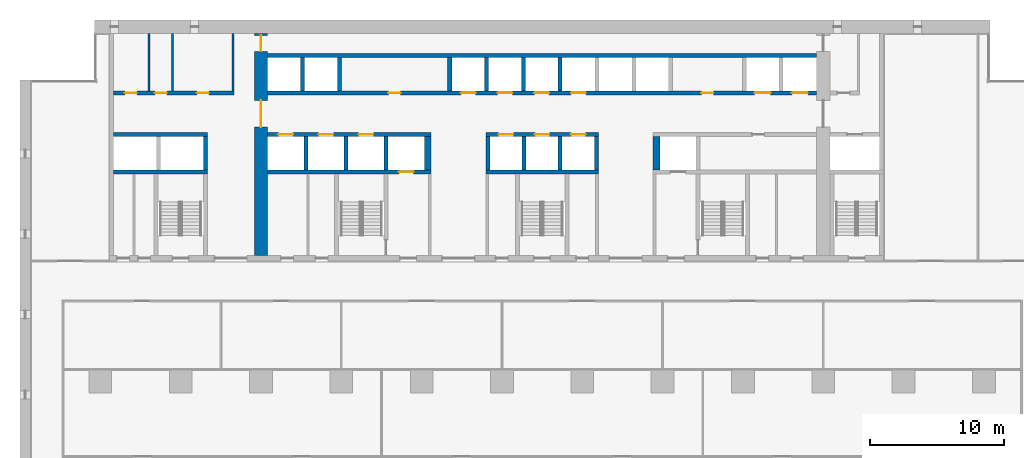
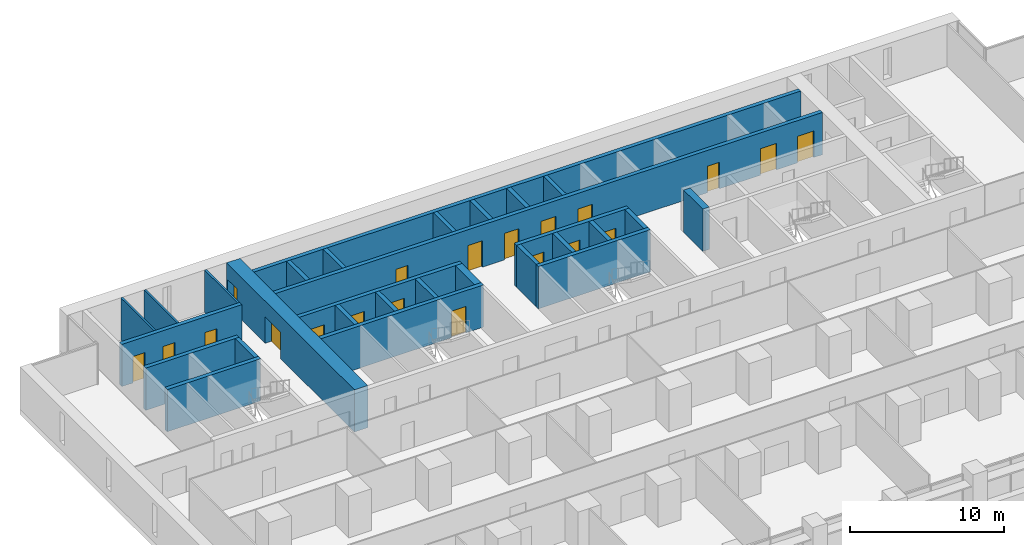
# One storey, part 11 of 18: 29 walls, 20 doors, 20 openings.
"""IFC4 building model written with IfcOpenShell, lengths in metres."""

import ifcopenshell
import ifcopenshell.guid

model = None  # the IFC model being written
_history = None  # IfcOwnerHistory: only IFC2X3 demands one
_inside = {}  # id of a spatial element -> (the spatial element, [elements in it])
_under = {}  # id of a project, library or spatial element -> (it, [spatial elements below it])
_declared = {}  # id of a project -> (the project, [libraries it declares])
_typed = {}  # id of a type object -> (the type object, [elements of that type])
_made_of = {}  # id of a material, layer set ... -> (it, [elements and type objects made of it])


def new_model(schema):
    """Start an empty IFC model of exactly this schema.

    Asked for "IFC4X3", IfcOpenShell would pick the latest addendum, in which some entities
    have other attributes; the version numbers below select the first issue.
    IFC2X3 requires an IfcOwnerHistory on every rooted entity: one is made here for all.
    """
    global model, _history
    if schema == "IFC4X3":
        model = ifcopenshell.file(schema_version=(4, 3, 0, 0))
    else:
        model = ifcopenshell.file(schema=schema)
    _inside.clear()
    _under.clear()
    _declared.clear()
    _typed.clear()
    _made_of.clear()
    _history = None
    if model.schema == "IFC2X3":
        org = make("IfcOrganization", Name="unknown")
        user = make(
            "IfcPersonAndOrganization",
            ThePerson=make("IfcPerson", FamilyName="unknown"),
            TheOrganization=org,
        )
        app = make(
            "IfcApplication",
            ApplicationDeveloper=org,
            Version="unknown",
            ApplicationFullName="unknown",
            ApplicationIdentifier="unknown",
        )
        _history = make(
            "IfcOwnerHistory",
            OwningUser=user,
            OwningApplication=app,
            ChangeAction="ADDED",
            CreationDate=0,
        )
    return model


def make(cls, **values):
    """One entity of the class cls with the attributes given. An attribute that is None is left unset."""
    return model.create_entity(
        cls, **{name: value for name, value in values.items() if value is not None}
    )


def rooted(cls, **values):
    """An entity with a GlobalId (a new one), such as an element, a storey or a relation."""
    return make(cls, GlobalId=ifcopenshell.guid.new(), OwnerHistory=_history, **values)


def si_unit(unit_type, name, prefix=None):
    """IfcSIUnit, for example si_unit("LENGTHUNIT", "METRE", prefix="MILLI")."""
    return make("IfcSIUnit", UnitType=unit_type, Prefix=prefix, Name=name)


def assignment(units):
    """IfcUnitAssignment: the units of a project."""
    return None if units is None else make("IfcUnitAssignment", Units=units)


def point(xyz):
    """IfcCartesianPoint."""
    return None if xyz is None else make("IfcCartesianPoint", Coordinates=xyz)


def direction(xyz):
    """IfcDirection."""
    return None if xyz is None else make("IfcDirection", DirectionRatios=xyz)


def frame(location, z_axis=None, x_axis=None):
    """IfcAxis2Placement3D, a coordinate frame: its origin and axes. An axis left out is left unset."""
    return make(
        "IfcAxis2Placement3D",
        Location=point(location),
        Axis=direction(z_axis),
        RefDirection=direction(x_axis),
    )


def frame_2d(location, x_axis=None):
    """IfcAxis2Placement2D, a coordinate frame in the plane: its origin and x axis."""
    return make(
        "IfcAxis2Placement2D", Location=point(location), RefDirection=direction(x_axis)
    )


def origin():
    """The frame at (0, 0, 0) with its axes left unset."""
    return frame((0.0, 0.0, 0.0))


def place(relative_to, where):
    """IfcLocalPlacement: puts the frame where relative to a parent placement (None: the world)."""
    return make(
        "IfcLocalPlacement", PlacementRelTo=relative_to, RelativePlacement=where
    )


def context(
    kind, dimensions, precision=None, world=None, true_north=None, identifier=None
):
    """IfcGeometricRepresentationContext, for example the 3D "Model" context."""
    return make(
        "IfcGeometricRepresentationContext",
        ContextIdentifier=identifier,
        ContextType=kind,
        CoordinateSpaceDimension=dimensions,
        Precision=precision,
        WorldCoordinateSystem=world,
        TrueNorth=true_north,
    )


def subcontext(parent, identifier, kind, view, scale=None):
    """IfcGeometricRepresentationSubContext, for example "Body" below "Model"."""
    return make(
        "IfcGeometricRepresentationSubContext",
        ContextIdentifier=identifier,
        ContextType=kind,
        ParentContext=parent,
        TargetScale=scale,
        TargetView=view,
    )


def project(units=None, contexts=None):
    """IfcProject with its units and contexts."""
    return rooted(
        "IfcProject",
        Name="project",
        RepresentationContexts=contexts,
        UnitsInContext=assignment(units),
    )


def spatial(cls, under=None, at=None, **own):
    """A site, building, storey or space (cls), placed at a placement, below another one or the project."""
    s = rooted(cls, ObjectPlacement=at, **own)
    if under is not None:
        _under.setdefault(under.id(), (under, []))[1].append(s)
    return s


def profile(cls, at=None, kind="AREA", **sizes):
    """A parametric profile (cls). Its sizes go by their IFC names, for example OverallWidth=200.0."""
    return make(cls, ProfileType=kind, Position=at, **sizes)


def rectangle(**sizes):
    """IfcRectangleProfileDef."""
    return profile("IfcRectangleProfileDef", **sizes)


def extrude(swept, where, along, depth):
    """IfcExtrudedAreaSolid: the profile swept, set in the frame where, extruded along a direction by depth."""
    return make(
        "IfcExtrudedAreaSolid",
        SweptArea=swept,
        Position=where,
        ExtrudedDirection=direction(along),
        Depth=depth,
    )


def shape(context_of_items, identifier, shape_type, items):
    """IfcShapeRepresentation: the items that make up one representation, for example the "Body"."""
    return make(
        "IfcShapeRepresentation",
        ContextOfItems=context_of_items,
        RepresentationIdentifier=identifier,
        RepresentationType=shape_type,
        Items=items,
    )


def material(Name=None, Category=None):
    """IfcMaterial."""
    return make("IfcMaterial", Name=Name, Category=Category)


def layer(
    of_material, thickness, ventilated=None, Name=None, Category=None, Priority=None
):
    """IfcMaterialLayer: one layer of a wall or slab, of a material (None: an air gap)."""
    return make(
        "IfcMaterialLayer",
        Material=of_material,
        LayerThickness=thickness,
        IsVentilated=ventilated,
        Name=Name,
        Category=Category,
        Priority=Priority,
    )


def layer_set(layers, Name=None):
    """IfcMaterialLayerSet."""
    return make("IfcMaterialLayerSet", MaterialLayers=layers, LayerSetName=Name)


def made_of(thing, what):
    """Note that an element or type object is made of a material, layer set ...; save() writes the relation."""
    if what is not None:
        _made_of.setdefault(what.id(), (what, []))[1].append(thing)
    return thing


def type_object(cls, material=None, **own):
    """A type object (cls), such as IfcWallType, which elements share."""
    return made_of(rooted(cls, **own), material)


def element(
    cls,
    number,
    at=None,
    inside=None,
    cuts=None,
    type_object=None,
    material=None,
    context=None,
    identifier="Body",
    shape_type=None,
    held_by="IfcProductDefinitionShape",
    body=None,
    shapes=None,
    **own,
):
    """One element of the class cls, such as IfcWall. Its Tag is "e" and its number.

    at: its placement. inside: the storey or other place that contains it. cuts: it is an
    opening in that element (IfcRelVoidsElement). A single representation is given by context,
    identifier, shape_type and body (its items); several are given by shapes. held_by: the class
    of the entity that holds the representations. save() writes the other relations.
    """
    e = rooted(cls, Tag="e%d" % number, ObjectPlacement=at, **own)
    if body is not None:
        shapes = [shape(context, identifier, shape_type, body)]
    if shapes is not None:
        e.Representation = make(held_by, Representations=shapes)
    if inside is not None:
        _inside.setdefault(inside.id(), (inside, []))[1].append(e)
    if cuts is not None:
        rooted(
            "IfcRelVoidsElement", RelatingBuildingElement=cuts, RelatedOpeningElement=e
        )
    if type_object is not None:
        _typed.setdefault(type_object.id(), (type_object, []))[1].append(e)
    return made_of(e, material)


def fill(opening, filler):
    """IfcRelFillsElement: the door or window that sits in an opening."""
    return rooted(
        "IfcRelFillsElement",
        RelatingOpeningElement=opening,
        RelatedBuildingElement=filler,
    )


def aggregate(whole, parts):
    """IfcRelAggregates: a whole, such as a stair, and the parts it consists of."""
    return rooted("IfcRelAggregates", RelatingObject=whole, RelatedObjects=parts)


def save(model, path):
    """Write the relations noted so far, then the file.

    IfcRelAggregates (storeys below a building ...), IfcRelContainedInSpatialStructure (elements
    in a storey), IfcRelDefinesByType, IfcRelAssociatesMaterial and IfcRelDeclares: one each for
    every whole, place, type object, material and project.
    """
    for whole, parts in _under.values():
        aggregate(whole, parts)
    for where, things in _inside.values():
        rooted(
            "IfcRelContainedInSpatialStructure",
            RelatedElements=things,
            RelatingStructure=where,
        )
    for kind, things in _typed.values():
        rooted("IfcRelDefinesByType", RelatedObjects=things, RelatingType=kind)
    for what, things in _made_of.values():
        rooted("IfcRelAssociatesMaterial", RelatedObjects=things, RelatingMaterial=what)
    for by, libraries in _declared.values():
        rooted("IfcRelDeclares", RelatingContext=by, RelatedDefinitions=libraries)
    model.write(path)


model = new_model("IFC4")

# Units and contexts
model_context = context("Model", 3, precision=1e-05, world=origin(), true_north=direction((0.0, 1.0)))
body_context = subcontext(model_context, "Body", "Model", "MODEL_VIEW")
ifc_project = project(units=[si_unit("LENGTHUNIT", "METRE"), si_unit("AREAUNIT", "SQUARE_METRE"), si_unit("VOLUMEUNIT", "CUBIC_METRE"), si_unit("PLANEANGLEUNIT", "RADIAN"), si_unit("MASSUNIT", "GRAM", prefix="KILO")], contexts=[model_context])

# Site, building, storey
site_placement = place(None, origin())
site = spatial("IfcSite", under=ifc_project, at=site_placement, CompositionType="ELEMENT")
building_placement = place(site_placement, origin())
building = spatial("IfcBuilding", under=site, at=building_placement, Name="Calvaro Tower", CompositionType="ELEMENT")
storey_placement = place(building_placement, frame((0.0, 0.0, 48.75)))
storey = spatial("IfcBuildingStorey", under=building, at=storey_placement, Name="L11", CompositionType="ELEMENT", Elevation=48.75)

# Walls
ifc_material_1 = material(Name="Blockwork partition", Category="masonry")
ifc_layer_1 = layer(ifc_material_1, 0.14990234375)
ifc_layer_set_1 = layer_set([ifc_layer_1], Name="Blockwork partition")
wall_type_1 = type_object("IfcWallType", Name="Core partition 150 EI 60", PredefinedType="PARTITIONING", material=ifc_layer_set_1)
for number, where, z_axis, x_axis, name in (
    (1, (9.64990234375, 40.699951171875, 0.0), (0.0, 0.0, 1.0), (0.0, 1.0, 0.0), "Core partition"),
    (2, (11.39990234375, 40.699951171875, 0.0), (0.0, 0.0, 1.0), (0.0, 1.0, 0.0), "Core partition"),
):
    element("IfcWall", number, at=place(storey_placement, frame(where, z_axis=z_axis, x_axis=x_axis)), inside=storey, type_object=wall_type_1, Name=name, PredefinedType="PARTITIONING", context=body_context, shape_type="SweptSolid", body=[
        extrude(rectangle(XDim=4.300048828125, YDim=0.14990234375, at=frame_2d((2.14990234375, 0.0))), origin(), (0.0, 0.0, 1.0), 3.35009765625),
    ])
ifc_material_2 = material(Name="Blockwork partition", Category="masonry")
ifc_layer_2 = layer(ifc_material_2, 0.14990234375)
ifc_layer_set_2 = layer_set([ifc_layer_2], Name="Blockwork partition")
wall_type_2 = type_object("IfcWallType", Name="Core partition 150 REI 120", PredefinedType="PARTITIONING", material=ifc_layer_set_2)
wall_1_placement = place(storey_placement, frame((15.925048828125, 40.699951171875, 0.0), z_axis=(0.0, 0.0, 1.0), x_axis=(0.0, 1.0, 0.0)))
element("IfcWall", 3, at=wall_1_placement, inside=storey, type_object=wall_type_2, Name="Core partition", PredefinedType="PARTITIONING", context=body_context, shape_type="SweptSolid", body=[
    extrude(rectangle(XDim=4.300048828125, YDim=0.14990234375, at=frame_2d((2.14990234375, 0.0))), origin(), (0.0, 0.0, 1.0), 3.35009765625),
])

# Wall, openings, doors
ifc_material_3 = material(Name="Blockwork partition", Category="masonry")
ifc_layer_3 = layer(ifc_material_3, 0.300048828125)
ifc_layer_set_3 = layer_set([ifc_layer_3], Name="Blockwork partition")
wall_type_3 = type_object("IfcWallType", Name="Core partition 300 REI 120", PredefinedType="PARTITIONING", material=ifc_layer_set_3)
wall_2_placement = place(storey_placement, frame((7.0, 40.550048828125, 0.0), z_axis=(0.0, 0.0, 1.0), x_axis=(1.0, 0.0, 0.0)))
wall_2 = element("IfcWall", 4, at=wall_2_placement, inside=storey, type_object=wall_type_3, Name="Core partition", PredefinedType="PARTITIONING", context=body_context, shape_type="SweptSolid", body=[
    extrude(rectangle(XDim=9.0, YDim=0.300048828125, at=frame_2d((4.5, 0.0))), origin(), (0.0, 0.0, 1.0), 3.35009765625),
])
opening_1_placement = place(wall_2_placement, frame((0.83740234375, 0.0, 0.0)))
opening_1 = element("IfcOpeningElement", 5, at=opening_1_placement, cuts=wall_2, Name="Opening RD9", PredefinedType="OPENING", context=body_context, shape_type="SweptSolid", body=[
    extrude(rectangle(XDim=0.89990234375, YDim=2.10009765625, at=frame_2d((0.449951171875, 1.050048828125))), frame((0.0, 0.159912109375, 0.0), z_axis=(0.0, -1.0, 0.0), x_axis=(1.0, 0.0, 0.0)), (0.0, 0.0, 1.0), 0.320068359375),
])
opening_2_placement = place(wall_2_placement, frame((3.074951171875, 0.0, 0.0)))
opening_2 = element("IfcOpeningElement", 6, at=opening_2_placement, cuts=wall_2, Name="Opening RD9", PredefinedType="OPENING", context=body_context, shape_type="SweptSolid", body=[
    extrude(rectangle(XDim=0.89990234375, YDim=2.10009765625, at=frame_2d((0.449951171875, 1.050048828125))), frame((0.0, 0.159912109375, 0.0), z_axis=(0.0, -1.0, 0.0), x_axis=(1.0, 0.0, 0.0)), (0.0, 0.0, 1.0), 0.320068359375),
])
opening_3_placement = place(wall_2_placement, frame((6.21240234375, 0.0, 0.0)))
opening_3 = element("IfcOpeningElement", 7, at=opening_3_placement, cuts=wall_2, Name="Opening RD9", PredefinedType="OPENING", context=body_context, shape_type="SweptSolid", body=[
    extrude(rectangle(XDim=0.89990234375, YDim=2.10009765625, at=frame_2d((0.449951171875, 1.050048828125))), frame((0.0, 0.159912109375, 0.0), z_axis=(0.0, -1.0, 0.0), x_axis=(1.0, 0.0, 0.0)), (0.0, 0.0, 1.0), 0.320068359375),
])
ifc_material_4 = material(Name="Steel door set", Category="steel")
door_type_1 = type_object("IfcDoorType", Name="Room door 900", OperationType="SINGLE_SWING_LEFT", PredefinedType="DOOR", material=ifc_material_4)
door_1_placement = place(opening_1_placement, origin())
door_1 = element("IfcDoor", 8, at=door_1_placement, inside=storey, type_object=door_type_1, Name="Room door", OperationType="SINGLE_SWING_LEFT", OverallHeight=2.10009765625, OverallWidth=0.89990234375, PredefinedType="DOOR", context=body_context, shape_type="SweptSolid", body=[
    extrude(rectangle(XDim=0.89990234375, YDim=2.10009765625, at=frame_2d((0.449951171875, 1.050048828125))), frame((0.0, 0.02490234375, 0.0), z_axis=(0.0, -1.0, 0.0), x_axis=(1.0, 0.0, 0.0)), (0.0, 0.0, 1.0), 0.050048828125),
])
fill(opening_1, door_1)
door_2_placement = place(opening_2_placement, origin())
door_2 = element("IfcDoor", 9, at=door_2_placement, inside=storey, type_object=door_type_1, Name="Room door", OperationType="SINGLE_SWING_RIGHT", OverallHeight=2.10009765625, OverallWidth=0.89990234375, PredefinedType="DOOR", context=body_context, shape_type="SweptSolid", body=[
    extrude(rectangle(XDim=0.89990234375, YDim=2.10009765625, at=frame_2d((0.449951171875, 1.050048828125))), frame((0.0, 0.02490234375, 0.0), z_axis=(0.0, -1.0, 0.0), x_axis=(1.0, 0.0, 0.0)), (0.0, 0.0, 1.0), 0.050048828125),
])
fill(opening_2, door_2)
door_3_placement = place(opening_3_placement, origin())
door_3 = element("IfcDoor", 10, at=door_3_placement, inside=storey, type_object=door_type_1, Name="Room door", OperationType="SINGLE_SWING_LEFT", OverallHeight=2.10009765625, OverallWidth=0.89990234375, PredefinedType="DOOR", context=body_context, shape_type="SweptSolid", body=[
    extrude(rectangle(XDim=0.89990234375, YDim=2.10009765625, at=frame_2d((0.449951171875, 1.050048828125))), frame((0.0, 0.02490234375, 0.0), z_axis=(0.0, -1.0, 0.0), x_axis=(1.0, 0.0, 0.0)), (0.0, 0.0, 1.0), 0.050048828125),
])
fill(opening_3, door_3)

ifc_material_5 = material(Name="Concrete C80/95", Category="concrete")
ifc_layer_4 = layer(ifc_material_5, 1.0)
ifc_layer_set_4 = layer_set([ifc_layer_4], Name="Concrete C80/95")
wall_type_4 = type_object("IfcWallType", Name="Core wall C80/95 1000", PredefinedType="SHEAR", material=ifc_layer_set_4)
wall_3_placement = place(storey_placement, frame((18.0, 28.39990234375, 0.0), z_axis=(0.0, 0.0, 1.0), x_axis=(0.0, 1.0, 0.0)))
wall_3 = element("IfcWall", 11, at=wall_3_placement, inside=storey, type_object=wall_type_4, Name="Core wall, cross shear wall", PredefinedType="SHEAR", context=body_context, shape_type="SweptSolid", body=[
    extrude(rectangle(XDim=16.60009765625, YDim=1.0, at=frame_2d((8.300048828125, 0.0))), origin(), (0.0, 0.0, 1.0), 3.35009765625),
])
opening_4_placement = place(wall_3_placement, frame((9.60009765625, 0.0, 0.0)))
opening_4 = element("IfcOpeningElement", 12, at=opening_4_placement, cuts=wall_3, Name="Opening DD20D", PredefinedType="OPENING", context=body_context, shape_type="SweptSolid", body=[
    extrude(rectangle(XDim=2.0, YDim=2.10009765625, at=frame_2d((1.0, 1.050048828125))), frame((0.0, 0.510009765625, 0.0), z_axis=(0.0, -1.0, 0.0), x_axis=(1.0, 0.0, 0.0)), (0.0, 0.0, 1.0), 1.02001953125),
])
opening_5_placement = place(wall_3_placement, frame((15.25, 0.0, 0.0)))
opening_5 = element("IfcOpeningElement", 13, at=opening_5_placement, cuts=wall_3, Name="Opening FD12C", PredefinedType="OPENING", context=body_context, shape_type="SweptSolid", body=[
    extrude(rectangle(XDim=1.199951171875, YDim=2.10009765625, at=frame_2d((0.60009765625, 1.050048828125))), frame((0.0, 0.510009765625, 0.0), z_axis=(0.0, -1.0, 0.0), x_axis=(1.0, 0.0, 0.0)), (0.0, 0.0, 1.0), 1.02001953125),
])
ifc_material_6 = material(Name="Steel door set", Category="steel")
door_type_2 = type_object("IfcDoorType", Name="Fire door 1200 FD30", OperationType="SINGLE_SWING_LEFT", PredefinedType="DOOR", material=ifc_material_6)
door_4_placement = place(opening_5_placement, origin())
door_4 = element("IfcDoor", 14, at=door_4_placement, inside=storey, type_object=door_type_2, Name="Fire door", OperationType="SINGLE_SWING_LEFT", OverallHeight=2.10009765625, OverallWidth=1.199951171875, PredefinedType="DOOR", context=body_context, shape_type="SweptSolid", body=[
    extrude(rectangle(XDim=1.199951171875, YDim=2.10009765625, at=frame_2d((0.60009765625, 1.050048828125))), frame((0.0, 0.02490234375, 0.0), z_axis=(0.0, -1.0, 0.0), x_axis=(1.0, 0.0, 0.0)), (0.0, 0.0, 1.0), 0.050048828125),
])
fill(opening_5, door_4)
ifc_material_7 = material(Name="Steel door set", Category="steel")
door_type_3 = type_object("IfcDoorType", Name="Lobby double door 2000 FD30S", OperationType="DOUBLE_DOOR_SINGLE_SWING", PredefinedType="DOOR", material=ifc_material_7)
door_5_placement = place(opening_4_placement, origin())
door_5 = element("IfcDoor", 15, at=door_5_placement, inside=storey, type_object=door_type_3, Name="Lobby double door", OperationType="DOUBLE_DOOR_SINGLE_SWING", OverallHeight=2.10009765625, OverallWidth=2.0, PredefinedType="DOOR", context=body_context, shape_type="SweptSolid", body=[
    extrude(rectangle(XDim=2.0, YDim=2.10009765625, at=frame_2d((1.0, 1.050048828125))), frame((0.0, 0.02490234375, 0.0), z_axis=(0.0, -1.0, 0.0), x_axis=(1.0, 0.0, 0.0)), (0.0, 0.0, 1.0), 0.050048828125),
])
fill(opening_4, door_5)

# Wall
ifc_material_8 = material(Name="Concrete C80/95", Category="concrete")
ifc_layer_5 = layer(ifc_material_8, 0.300048828125)
ifc_layer_set_5 = layer_set([ifc_layer_5], Name="Concrete C80/95")
wall_type_5 = type_object("IfcWallType", Name="Core wall C80/95 300", PredefinedType="SHEAR", material=ifc_layer_set_5)
wall_4_placement = place(storey_placement, frame((7.0, 34.64990234375, 0.0), z_axis=(0.0, 0.0, 1.0), x_axis=(1.0, 0.0, 0.0)))
element("IfcWall", 16, at=wall_4_placement, inside=storey, type_object=wall_type_5, Name="Core wall, lift shaft", PredefinedType="SHEAR", context=body_context, shape_type="SweptSolid", body=[
    extrude(rectangle(XDim=7.0, YDim=0.300048828125, at=frame_2d((3.5, 0.0))), origin(), (0.0, 0.0, 1.0), 3.35009765625),
])

# Wall, opening, door
wall_5_placement = place(storey_placement, frame((18.5, 34.64990234375, 0.0), z_axis=(0.0, 0.0, 1.0), x_axis=(1.0, 0.0, 0.0)))
wall_5 = element("IfcWall", 17, at=wall_5_placement, inside=storey, type_object=wall_type_5, Name="Core wall, lift shaft", PredefinedType="SHEAR", context=body_context, shape_type="SweptSolid", body=[
    extrude(rectangle(XDim=12.199951171875, YDim=0.300048828125, at=frame_2d((6.10009765625, 0.0))), origin(), (0.0, 0.0, 1.0), 3.35009765625),
])
opening_6_placement = place(wall_5_placement, frame((9.800048828125, 0.0, 0.0)))
opening_6 = element("IfcOpeningElement", 18, at=opening_6_placement, cuts=wall_5, Name="Opening FF1", PredefinedType="OPENING", context=body_context, shape_type="SweptSolid", body=[
    extrude(rectangle(XDim=1.10009765625, YDim=2.10009765625, at=frame_2d((0.550048828125, 1.050048828125))), frame((0.0, 0.159912109375, 0.0), z_axis=(0.0, -1.0, 0.0), x_axis=(1.0, 0.0, 0.0)), (0.0, 0.0, 1.0), 0.320068359375),
])
ifc_material_9 = material(Name="Stainless steel", Category="steel")
door_type_4 = type_object("IfcDoorType", Name="Landing door 1100 E 60", OperationType="SLIDING_TO_LEFT", PredefinedType="DOOR", material=ifc_material_9)
door_6_placement = place(opening_6_placement, origin())
door_6 = element("IfcDoor", 19, at=door_6_placement, inside=storey, type_object=door_type_4, Name="Landing door FF1", OperationType="SLIDING_TO_LEFT", OverallHeight=2.10009765625, OverallWidth=1.10009765625, PredefinedType="DOOR", context=body_context, shape_type="SweptSolid", body=[
    extrude(rectangle(XDim=1.10009765625, YDim=2.10009765625, at=frame_2d((0.550048828125, 1.050048828125))), frame((0.0, 0.02490234375, 0.0), z_axis=(0.0, -1.0, 0.0), x_axis=(1.0, 0.0, 0.0)), (0.0, 0.0, 1.0), 0.050048828125),
])
fill(opening_6, door_6)

# Walls
wall_6_placement = place(storey_placement, frame((34.800048828125, 34.64990234375, 0.0), z_axis=(0.0, 0.0, 1.0), x_axis=(1.0, 0.0, 0.0)))
element("IfcWall", 20, at=wall_6_placement, inside=storey, type_object=wall_type_5, Name="Core wall, lift shaft", PredefinedType="SHEAR", context=body_context, shape_type="SweptSolid", body=[
    extrude(rectangle(XDim=8.39990234375, YDim=0.300048828125, at=frame_2d((4.199951171875, 0.0))), origin(), (0.0, 0.0, 1.0), 3.35009765625),
])
wall_7_placement = place(storey_placement, frame((7.0, 37.449951171875, 0.0), z_axis=(0.0, 0.0, 1.0), x_axis=(1.0, 0.0, 0.0)))
element("IfcWall", 21, at=wall_7_placement, inside=storey, type_object=wall_type_5, Name="Core wall, lift shaft", PredefinedType="SHEAR", context=body_context, shape_type="SweptSolid", body=[
    extrude(rectangle(XDim=7.0, YDim=0.300048828125, at=frame_2d((3.5, 0.0))), origin(), (0.0, 0.0, 1.0), 3.35009765625),
])

# Wall, openings, doors
wall_8_placement = place(storey_placement, frame((18.5, 37.449951171875, 0.0), z_axis=(0.0, 0.0, 1.0), x_axis=(1.0, 0.0, 0.0)))
wall_8 = element("IfcWall", 22, at=wall_8_placement, inside=storey, type_object=wall_type_5, Name="Core wall, lift shaft", PredefinedType="SHEAR", context=body_context, shape_type="SweptSolid", body=[
    extrude(rectangle(XDim=12.199951171875, YDim=0.300048828125, at=frame_2d((6.10009765625, 0.0))), origin(), (0.0, 0.0, 1.0), 3.35009765625),
])
opening_7_placement = place(wall_8_placement, frame((0.800048828125, 0.0, 0.0)))
opening_7 = element("IfcOpeningElement", 23, at=opening_7_placement, cuts=wall_8, Name="Opening LR1", PredefinedType="OPENING", context=body_context, shape_type="SweptSolid", body=[
    extrude(rectangle(XDim=1.10009765625, YDim=2.10009765625, at=frame_2d((0.550048828125, 1.050048828125))), frame((0.0, 0.159912109375, 0.0), z_axis=(0.0, -1.0, 0.0), x_axis=(1.0, 0.0, 0.0)), (0.0, 0.0, 1.0), 0.320068359375),
])
opening_8_placement = place(wall_8_placement, frame((3.800048828125, 0.0, 0.0)))
opening_8 = element("IfcOpeningElement", 24, at=opening_8_placement, cuts=wall_8, Name="Opening LR2", PredefinedType="OPENING", context=body_context, shape_type="SweptSolid", body=[
    extrude(rectangle(XDim=1.10009765625, YDim=2.10009765625, at=frame_2d((0.550048828125, 1.050048828125))), frame((0.0, 0.159912109375, 0.0), z_axis=(0.0, -1.0, 0.0), x_axis=(1.0, 0.0, 0.0)), (0.0, 0.0, 1.0), 0.320068359375),
])
opening_9_placement = place(wall_8_placement, frame((6.800048828125, 0.0, 0.0)))
opening_9 = element("IfcOpeningElement", 25, at=opening_9_placement, cuts=wall_8, Name="Opening LR3", PredefinedType="OPENING", context=body_context, shape_type="SweptSolid", body=[
    extrude(rectangle(XDim=1.10009765625, YDim=2.10009765625, at=frame_2d((0.550048828125, 1.050048828125))), frame((0.0, 0.159912109375, 0.0), z_axis=(0.0, -1.0, 0.0), x_axis=(1.0, 0.0, 0.0)), (0.0, 0.0, 1.0), 0.320068359375),
])
door_7_placement = place(opening_7_placement, origin())
door_7 = element("IfcDoor", 26, at=door_7_placement, inside=storey, type_object=door_type_4, Name="Landing door LR1", OperationType="SLIDING_TO_LEFT", OverallHeight=2.10009765625, OverallWidth=1.10009765625, PredefinedType="DOOR", context=body_context, shape_type="SweptSolid", body=[
    extrude(rectangle(XDim=1.10009765625, YDim=2.10009765625, at=frame_2d((0.550048828125, 1.050048828125))), frame((0.0, 0.02490234375, 0.0), z_axis=(0.0, -1.0, 0.0), x_axis=(1.0, 0.0, 0.0)), (0.0, 0.0, 1.0), 0.050048828125),
])
fill(opening_7, door_7)
door_8_placement = place(opening_8_placement, origin())
door_8 = element("IfcDoor", 27, at=door_8_placement, inside=storey, type_object=door_type_4, Name="Landing door LR2", OperationType="SLIDING_TO_LEFT", OverallHeight=2.10009765625, OverallWidth=1.10009765625, PredefinedType="DOOR", context=body_context, shape_type="SweptSolid", body=[
    extrude(rectangle(XDim=1.10009765625, YDim=2.10009765625, at=frame_2d((0.550048828125, 1.050048828125))), frame((0.0, 0.02490234375, 0.0), z_axis=(0.0, -1.0, 0.0), x_axis=(1.0, 0.0, 0.0)), (0.0, 0.0, 1.0), 0.050048828125),
])
fill(opening_8, door_8)
door_9_placement = place(opening_9_placement, origin())
door_9 = element("IfcDoor", 28, at=door_9_placement, inside=storey, type_object=door_type_4, Name="Landing door LR3", OperationType="SLIDING_TO_LEFT", OverallHeight=2.10009765625, OverallWidth=1.10009765625, PredefinedType="DOOR", context=body_context, shape_type="SweptSolid", body=[
    extrude(rectangle(XDim=1.10009765625, YDim=2.10009765625, at=frame_2d((0.550048828125, 1.050048828125))), frame((0.0, 0.02490234375, 0.0), z_axis=(0.0, -1.0, 0.0), x_axis=(1.0, 0.0, 0.0)), (0.0, 0.0, 1.0), 0.050048828125),
])
fill(opening_9, door_9)

wall_9_placement = place(storey_placement, frame((34.800048828125, 37.449951171875, 0.0), z_axis=(0.0, 0.0, 1.0), x_axis=(1.0, 0.0, 0.0)))
wall_9 = element("IfcWall", 29, at=wall_9_placement, inside=storey, type_object=wall_type_5, Name="Core wall, lift shaft", PredefinedType="SHEAR", context=body_context, shape_type="SweptSolid", body=[
    extrude(rectangle(XDim=8.39990234375, YDim=0.300048828125, at=frame_2d((4.199951171875, 0.0))), origin(), (0.0, 0.0, 1.0), 3.35009765625),
])
opening_10_placement = place(wall_9_placement, frame((0.949951171875, 0.0, 0.0)))
opening_10 = element("IfcOpeningElement", 30, at=opening_10_placement, cuts=wall_9, Name="Opening LR4", PredefinedType="OPENING", context=body_context, shape_type="SweptSolid", body=[
    extrude(rectangle(XDim=1.10009765625, YDim=2.10009765625, at=frame_2d((0.550048828125, 1.050048828125))), frame((0.0, 0.159912109375, 0.0), z_axis=(0.0, -1.0, 0.0), x_axis=(1.0, 0.0, 0.0)), (0.0, 0.0, 1.0), 0.320068359375),
])
opening_11_placement = place(wall_9_placement, frame((3.64990234375, 0.0, 0.0)))
opening_11 = element("IfcOpeningElement", 31, at=opening_11_placement, cuts=wall_9, Name="Opening LR5", PredefinedType="OPENING", context=body_context, shape_type="SweptSolid", body=[
    extrude(rectangle(XDim=1.10009765625, YDim=2.10009765625, at=frame_2d((0.550048828125, 1.050048828125))), frame((0.0, 0.159912109375, 0.0), z_axis=(0.0, -1.0, 0.0), x_axis=(1.0, 0.0, 0.0)), (0.0, 0.0, 1.0), 0.320068359375),
])
opening_12_placement = place(wall_9_placement, frame((6.35009765625, 0.0, 0.0)))
opening_12 = element("IfcOpeningElement", 32, at=opening_12_placement, cuts=wall_9, Name="Opening LR6", PredefinedType="OPENING", context=body_context, shape_type="SweptSolid", body=[
    extrude(rectangle(XDim=1.10009765625, YDim=2.10009765625, at=frame_2d((0.550048828125, 1.050048828125))), frame((0.0, 0.159912109375, 0.0), z_axis=(0.0, -1.0, 0.0), x_axis=(1.0, 0.0, 0.0)), (0.0, 0.0, 1.0), 0.320068359375),
])
door_10_placement = place(opening_10_placement, origin())
door_10 = element("IfcDoor", 33, at=door_10_placement, inside=storey, type_object=door_type_4, Name="Landing door LR4", OperationType="SLIDING_TO_LEFT", OverallHeight=2.10009765625, OverallWidth=1.10009765625, PredefinedType="DOOR", context=body_context, shape_type="SweptSolid", body=[
    extrude(rectangle(XDim=1.10009765625, YDim=2.10009765625, at=frame_2d((0.550048828125, 1.050048828125))), frame((0.0, 0.02490234375, 0.0), z_axis=(0.0, -1.0, 0.0), x_axis=(1.0, 0.0, 0.0)), (0.0, 0.0, 1.0), 0.050048828125),
])
fill(opening_10, door_10)
door_11_placement = place(opening_11_placement, origin())
door_11 = element("IfcDoor", 34, at=door_11_placement, inside=storey, type_object=door_type_4, Name="Landing door LR5", OperationType="SLIDING_TO_LEFT", OverallHeight=2.10009765625, OverallWidth=1.10009765625, PredefinedType="DOOR", context=body_context, shape_type="SweptSolid", body=[
    extrude(rectangle(XDim=1.10009765625, YDim=2.10009765625, at=frame_2d((0.550048828125, 1.050048828125))), frame((0.0, 0.02490234375, 0.0), z_axis=(0.0, -1.0, 0.0), x_axis=(1.0, 0.0, 0.0)), (0.0, 0.0, 1.0), 0.050048828125),
])
fill(opening_11, door_11)
door_12_placement = place(opening_12_placement, origin())
door_12 = element("IfcDoor", 35, at=door_12_placement, inside=storey, type_object=door_type_4, Name="Landing door LR6", OperationType="SLIDING_TO_LEFT", OverallHeight=2.10009765625, OverallWidth=1.10009765625, PredefinedType="DOOR", context=body_context, shape_type="SweptSolid", body=[
    extrude(rectangle(XDim=1.10009765625, YDim=2.10009765625, at=frame_2d((0.550048828125, 1.050048828125))), frame((0.0, 0.02490234375, 0.0), z_axis=(0.0, -1.0, 0.0), x_axis=(1.0, 0.0, 0.0)), (0.0, 0.0, 1.0), 0.050048828125),
])
fill(opening_12, door_12)

# Walls
for number, where, z_axis, x_axis, name in (
    (36, (27.35009765625, 34.800048828125, 0.0), (0.0, 0.0, 1.0), (0.0, 1.0, 0.0), "Core wall, lift shaft"),
    (37, (34.949951171875, 34.800048828125, 0.0), (0.0, 0.0, 1.0), (0.0, 1.0, 0.0), "Core wall, lift shaft"),
    (38, (43.050048828125, 34.800048828125, 0.0), (0.0, 0.0, 1.0), (0.0, 1.0, 0.0), "Core wall, lift shaft"),
    (39, (13.85009765625, 34.800048828125, 0.0), (0.0, 0.0, 1.0), (0.0, 1.0, 0.0), "Core wall, lift shaft"),
):
    element("IfcWall", number, at=place(storey_placement, frame(where, z_axis=z_axis, x_axis=x_axis)), inside=storey, type_object=wall_type_5, Name=name, PredefinedType="SHEAR", context=body_context, shape_type="SweptSolid", body=[
        extrude(rectangle(XDim=2.5, YDim=0.300048828125, at=frame_2d((1.25, 0.0))), origin(), (0.0, 0.0, 1.0), 3.35009765625),
    ])

# Wall, openings, doors
wall_10_placement = place(storey_placement, frame((18.5, 40.550048828125, 0.0), z_axis=(0.0, 0.0, 1.0), x_axis=(1.0, 0.0, 0.0)))
wall_10 = element("IfcWall", 40, at=wall_10_placement, inside=storey, type_object=wall_type_5, Name="Core wall, bay", PredefinedType="SHEAR", context=body_context, shape_type="SweptSolid", body=[
    extrude(rectangle(XDim=41.0, YDim=0.300048828125, at=frame_2d((20.5, 0.0))), origin(), (0.0, 0.0, 1.0), 3.35009765625),
])
opening_13_placement = place(wall_10_placement, frame((9.02490234375, 0.0, 0.0)))
opening_13 = element("IfcOpeningElement", 41, at=opening_13_placement, cuts=wall_10, Name="Opening RD9E", PredefinedType="OPENING", context=body_context, shape_type="SweptSolid", body=[
    extrude(rectangle(XDim=0.89990234375, YDim=2.10009765625, at=frame_2d((0.449951171875, 1.050048828125))), frame((0.0, 0.159912109375, 0.0), z_axis=(0.0, -1.0, 0.0), x_axis=(1.0, 0.0, 0.0)), (0.0, 0.0, 1.0), 0.320068359375),
])
opening_14_placement = place(wall_10_placement, frame((32.39990234375, 0.0, 0.0)))
opening_14 = element("IfcOpeningElement", 42, at=opening_14_placement, cuts=wall_10, Name="Opening RD9E", PredefinedType="OPENING", context=body_context, shape_type="SweptSolid", body=[
    extrude(rectangle(XDim=0.89990234375, YDim=2.10009765625, at=frame_2d((0.449951171875, 1.050048828125))), frame((0.0, 0.159912109375, 0.0), z_axis=(0.0, -1.0, 0.0), x_axis=(1.0, 0.0, 0.0)), (0.0, 0.0, 1.0), 0.320068359375),
])
opening_15_placement = place(wall_10_placement, frame((14.425048828125, 0.0, 0.0)))
opening_15 = element("IfcOpeningElement", 43, at=opening_15_placement, cuts=wall_10, Name="Opening LR7", PredefinedType="OPENING", context=body_context, shape_type="SweptSolid", body=[
    extrude(rectangle(XDim=1.10009765625, YDim=2.10009765625, at=frame_2d((0.550048828125, 1.050048828125))), frame((0.0, 0.159912109375, 0.0), z_axis=(0.0, -1.0, 0.0), x_axis=(1.0, 0.0, 0.0)), (0.0, 0.0, 1.0), 0.320068359375),
])
opening_16_placement = place(wall_10_placement, frame((17.175048828125, 0.0, 0.0)))
opening_16 = element("IfcOpeningElement", 44, at=opening_16_placement, cuts=wall_10, Name="Opening LR8", PredefinedType="OPENING", context=body_context, shape_type="SweptSolid", body=[
    extrude(rectangle(XDim=1.10009765625, YDim=2.10009765625, at=frame_2d((0.550048828125, 1.050048828125))), frame((0.0, 0.159912109375, 0.0), z_axis=(0.0, -1.0, 0.0), x_axis=(1.0, 0.0, 0.0)), (0.0, 0.0, 1.0), 0.320068359375),
])
opening_17_placement = place(wall_10_placement, frame((19.925048828125, 0.0, 0.0)))
opening_17 = element("IfcOpeningElement", 45, at=opening_17_placement, cuts=wall_10, Name="Opening LR9", PredefinedType="OPENING", context=body_context, shape_type="SweptSolid", body=[
    extrude(rectangle(XDim=1.10009765625, YDim=2.10009765625, at=frame_2d((0.550048828125, 1.050048828125))), frame((0.0, 0.159912109375, 0.0), z_axis=(0.0, -1.0, 0.0), x_axis=(1.0, 0.0, 0.0)), (0.0, 0.0, 1.0), 0.320068359375),
])
opening_18_placement = place(wall_10_placement, frame((22.675048828125, 0.0, 0.0)))
opening_18 = element("IfcOpeningElement", 46, at=opening_18_placement, cuts=wall_10, Name="Opening LR10", PredefinedType="OPENING", context=body_context, shape_type="SweptSolid", body=[
    extrude(rectangle(XDim=1.10009765625, YDim=2.10009765625, at=frame_2d((0.550048828125, 1.050048828125))), frame((0.0, 0.159912109375, 0.0), z_axis=(0.0, -1.0, 0.0), x_axis=(1.0, 0.0, 0.0)), (0.0, 0.0, 1.0), 0.320068359375),
])
opening_19_placement = place(wall_10_placement, frame((36.375, 0.0, 0.0)))
opening_19 = element("IfcOpeningElement", 47, at=opening_19_placement, cuts=wall_10, Name="Opening SV1", PredefinedType="OPENING", context=body_context, shape_type="SweptSolid", body=[
    extrude(rectangle(XDim=1.199951171875, YDim=2.10009765625, at=frame_2d((0.60009765625, 1.050048828125))), frame((0.0, 0.159912109375, 0.0), z_axis=(0.0, -1.0, 0.0), x_axis=(1.0, 0.0, 0.0)), (0.0, 0.0, 1.0), 0.320068359375),
])
opening_20_placement = place(wall_10_placement, frame((39.14990234375, 0.0, 0.0)))
opening_20 = element("IfcOpeningElement", 48, at=opening_20_placement, cuts=wall_10, Name="Opening SV2", PredefinedType="OPENING", context=body_context, shape_type="SweptSolid", body=[
    extrude(rectangle(XDim=1.199951171875, YDim=2.10009765625, at=frame_2d((0.60009765625, 1.050048828125))), frame((0.0, 0.159912109375, 0.0), z_axis=(0.0, -1.0, 0.0), x_axis=(1.0, 0.0, 0.0)), (0.0, 0.0, 1.0), 0.320068359375),
])
door_13_placement = place(opening_15_placement, origin())
door_13 = element("IfcDoor", 49, at=door_13_placement, inside=storey, type_object=door_type_4, Name="Landing door LR7", OperationType="SLIDING_TO_LEFT", OverallHeight=2.10009765625, OverallWidth=1.10009765625, PredefinedType="DOOR", context=body_context, shape_type="SweptSolid", body=[
    extrude(rectangle(XDim=1.10009765625, YDim=2.10009765625, at=frame_2d((0.550048828125, 1.050048828125))), frame((0.0, 0.02490234375, 0.0), z_axis=(0.0, -1.0, 0.0), x_axis=(1.0, 0.0, 0.0)), (0.0, 0.0, 1.0), 0.050048828125),
])
fill(opening_15, door_13)
door_14_placement = place(opening_16_placement, origin())
door_14 = element("IfcDoor", 50, at=door_14_placement, inside=storey, type_object=door_type_4, Name="Landing door LR8", OperationType="SLIDING_TO_LEFT", OverallHeight=2.10009765625, OverallWidth=1.10009765625, PredefinedType="DOOR", context=body_context, shape_type="SweptSolid", body=[
    extrude(rectangle(XDim=1.10009765625, YDim=2.10009765625, at=frame_2d((0.550048828125, 1.050048828125))), frame((0.0, 0.02490234375, 0.0), z_axis=(0.0, -1.0, 0.0), x_axis=(1.0, 0.0, 0.0)), (0.0, 0.0, 1.0), 0.050048828125),
])
fill(opening_16, door_14)
door_15_placement = place(opening_17_placement, origin())
door_15 = element("IfcDoor", 51, at=door_15_placement, inside=storey, type_object=door_type_4, Name="Landing door LR9", OperationType="SLIDING_TO_LEFT", OverallHeight=2.10009765625, OverallWidth=1.10009765625, PredefinedType="DOOR", context=body_context, shape_type="SweptSolid", body=[
    extrude(rectangle(XDim=1.10009765625, YDim=2.10009765625, at=frame_2d((0.550048828125, 1.050048828125))), frame((0.0, 0.02490234375, 0.0), z_axis=(0.0, -1.0, 0.0), x_axis=(1.0, 0.0, 0.0)), (0.0, 0.0, 1.0), 0.050048828125),
])
fill(opening_17, door_15)
door_16_placement = place(opening_18_placement, origin())
door_16 = element("IfcDoor", 52, at=door_16_placement, inside=storey, type_object=door_type_4, Name="Landing door LR10", OperationType="SLIDING_TO_LEFT", OverallHeight=2.10009765625, OverallWidth=1.10009765625, PredefinedType="DOOR", context=body_context, shape_type="SweptSolid", body=[
    extrude(rectangle(XDim=1.10009765625, YDim=2.10009765625, at=frame_2d((0.550048828125, 1.050048828125))), frame((0.0, 0.02490234375, 0.0), z_axis=(0.0, -1.0, 0.0), x_axis=(1.0, 0.0, 0.0)), (0.0, 0.0, 1.0), 0.050048828125),
])
fill(opening_18, door_16)
ifc_material_10 = material(Name="Stainless steel", Category="steel")
door_type_5 = type_object("IfcDoorType", Name="Landing door 1200 E 60", OperationType="SLIDING_TO_LEFT", PredefinedType="DOOR", material=ifc_material_10)
door_17_placement = place(opening_19_placement, origin())
door_17 = element("IfcDoor", 53, at=door_17_placement, inside=storey, type_object=door_type_5, Name="Landing door SV1", OperationType="SLIDING_TO_LEFT", OverallHeight=2.10009765625, OverallWidth=1.199951171875, PredefinedType="DOOR", context=body_context, shape_type="SweptSolid", body=[
    extrude(rectangle(XDim=1.199951171875, YDim=2.10009765625, at=frame_2d((0.60009765625, 1.050048828125))), frame((0.0, 0.02490234375, 0.0), z_axis=(0.0, -1.0, 0.0), x_axis=(1.0, 0.0, 0.0)), (0.0, 0.0, 1.0), 0.050048828125),
])
fill(opening_19, door_17)
door_18_placement = place(opening_20_placement, origin())
door_18 = element("IfcDoor", 54, at=door_18_placement, inside=storey, type_object=door_type_5, Name="Landing door SV2", OperationType="SLIDING_TO_LEFT", OverallHeight=2.10009765625, OverallWidth=1.199951171875, PredefinedType="DOOR", context=body_context, shape_type="SweptSolid", body=[
    extrude(rectangle(XDim=1.199951171875, YDim=2.10009765625, at=frame_2d((0.60009765625, 1.050048828125))), frame((0.0, 0.02490234375, 0.0), z_axis=(0.0, -1.0, 0.0), x_axis=(1.0, 0.0, 0.0)), (0.0, 0.0, 1.0), 0.050048828125),
])
fill(opening_20, door_18)
ifc_material_11 = material(Name="Steel door set", Category="steel")
door_type_6 = type_object("IfcDoorType", Name="Room door 900 FD60", OperationType="SINGLE_SWING_LEFT", PredefinedType="DOOR", material=ifc_material_11)
door_19_placement = place(opening_13_placement, origin())
door_19 = element("IfcDoor", 55, at=door_19_placement, inside=storey, type_object=door_type_6, Name="Room door", OperationType="SINGLE_SWING_RIGHT", OverallHeight=2.10009765625, OverallWidth=0.89990234375, PredefinedType="DOOR", context=body_context, shape_type="SweptSolid", body=[
    extrude(rectangle(XDim=0.89990234375, YDim=2.10009765625, at=frame_2d((0.449951171875, 1.050048828125))), frame((0.0, 0.02490234375, 0.0), z_axis=(0.0, -1.0, 0.0), x_axis=(1.0, 0.0, 0.0)), (0.0, 0.0, 1.0), 0.050048828125),
])
fill(opening_13, door_19)
door_20_placement = place(opening_14_placement, origin())
door_20 = element("IfcDoor", 56, at=door_20_placement, inside=storey, type_object=door_type_6, Name="Room door", OperationType="SINGLE_SWING_LEFT", OverallHeight=2.10009765625, OverallWidth=0.89990234375, PredefinedType="DOOR", context=body_context, shape_type="SweptSolid", body=[
    extrude(rectangle(XDim=0.89990234375, YDim=2.10009765625, at=frame_2d((0.449951171875, 1.050048828125))), frame((0.0, 0.02490234375, 0.0), z_axis=(0.0, -1.0, 0.0), x_axis=(1.0, 0.0, 0.0)), (0.0, 0.0, 1.0), 0.050048828125),
])
fill(opening_14, door_20)

# Walls
wall_11_placement = place(storey_placement, frame((18.5, 43.35009765625, 0.0), z_axis=(0.0, 0.0, 1.0), x_axis=(1.0, 0.0, 0.0)))
element("IfcWall", 57, at=wall_11_placement, inside=storey, type_object=wall_type_5, Name="Core wall, lift shaft", PredefinedType="SHEAR", context=body_context, shape_type="SweptSolid", body=[
    extrude(rectangle(XDim=41.0, YDim=0.300048828125, at=frame_2d((20.5, 0.0))), origin(), (0.0, 0.0, 1.0), 3.35009765625),
])
for number, where, z_axis, x_axis, name in (
    (58, (21.35009765625, 34.800048828125, 0.0), (0.0, 0.0, 1.0), (0.0, 1.0, 0.0), "Core wall, lift shaft"),
    (59, (24.35009765625, 34.800048828125, 0.0), (0.0, 0.0, 1.0), (0.0, 1.0, 0.0), "Core wall, lift shaft"),
    (60, (37.64990234375, 34.800048828125, 0.0), (0.0, 0.0, 1.0), (0.0, 1.0, 0.0), "Core wall, lift shaft"),
    (61, (40.35009765625, 34.800048828125, 0.0), (0.0, 0.0, 1.0), (0.0, 1.0, 0.0), "Core wall, lift shaft"),
    (62, (21.10009765625, 40.699951171875, 0.0), (0.0, 0.0, 1.0), (0.0, 1.0, 0.0), "Core wall, lift shaft"),
    (63, (23.85009765625, 40.699951171875, 0.0), (0.0, 0.0, 1.0), (0.0, 1.0, 0.0), "Core wall, lift shaft"),
    (64, (32.10009765625, 40.699951171875, 0.0), (0.0, 0.0, 1.0), (0.0, 1.0, 0.0), "Core wall, lift shaft"),
    (65, (34.85009765625, 40.699951171875, 0.0), (0.0, 0.0, 1.0), (0.0, 1.0, 0.0), "Core wall, lift shaft"),
    (66, (37.60009765625, 40.699951171875, 0.0), (0.0, 0.0, 1.0), (0.0, 1.0, 0.0), "Core wall, lift shaft"),
    (67, (40.35009765625, 40.699951171875, 0.0), (0.0, 0.0, 1.0), (0.0, 1.0, 0.0), "Core wall, lift shaft"),
):
    element("IfcWall", number, at=place(storey_placement, frame(where, z_axis=z_axis, x_axis=x_axis)), inside=storey, type_object=wall_type_5, Name=name, PredefinedType="SHEAR", context=body_context, shape_type="SweptSolid", body=[
        extrude(rectangle(XDim=2.5, YDim=0.300048828125, at=frame_2d((1.25, 0.0))), origin(), (0.0, 0.0, 1.0), 3.35009765625),
    ])
ifc_material_12 = material(Name="Concrete C80/95", Category="concrete")
ifc_layer_6 = layer(ifc_material_12, 0.5)
ifc_layer_set_6 = layer_set([ifc_layer_6], Name="Concrete C80/95")
wall_type_6 = type_object("IfcWallType", Name="Core wall C80/95 500", PredefinedType="SHEAR", material=ifc_layer_set_6)
for number, where, z_axis, x_axis, name in (
    (68, (30.449951171875, 34.800048828125, 0.0), (0.0, 0.0, 1.0), (0.0, 1.0, 0.0), "Core wall, lift shaft"),
    (69, (47.550048828125, 34.800048828125, 0.0), (0.0, 0.0, 1.0), (0.0, 1.0, 0.0), "Core wall, lift shaft"),
):
    element("IfcWall", number, at=place(storey_placement, frame(where, z_axis=z_axis, x_axis=x_axis)), inside=storey, type_object=wall_type_6, Name=name, PredefinedType="SHEAR", context=body_context, shape_type="SweptSolid", body=[
        extrude(rectangle(XDim=2.5, YDim=0.5, at=frame_2d((1.25, 0.0))), origin(), (0.0, 0.0, 1.0), 3.35009765625),
    ])

save(model, "model.ifc")
